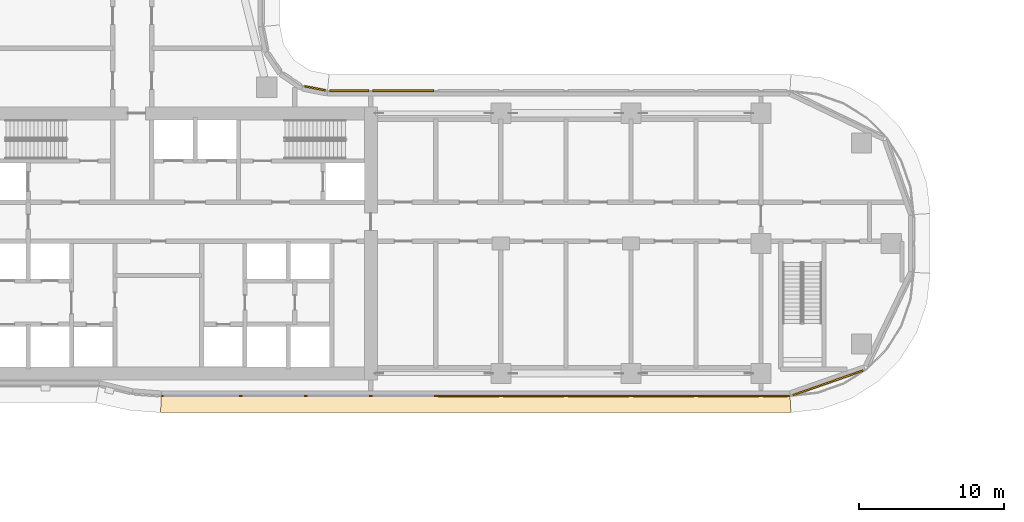
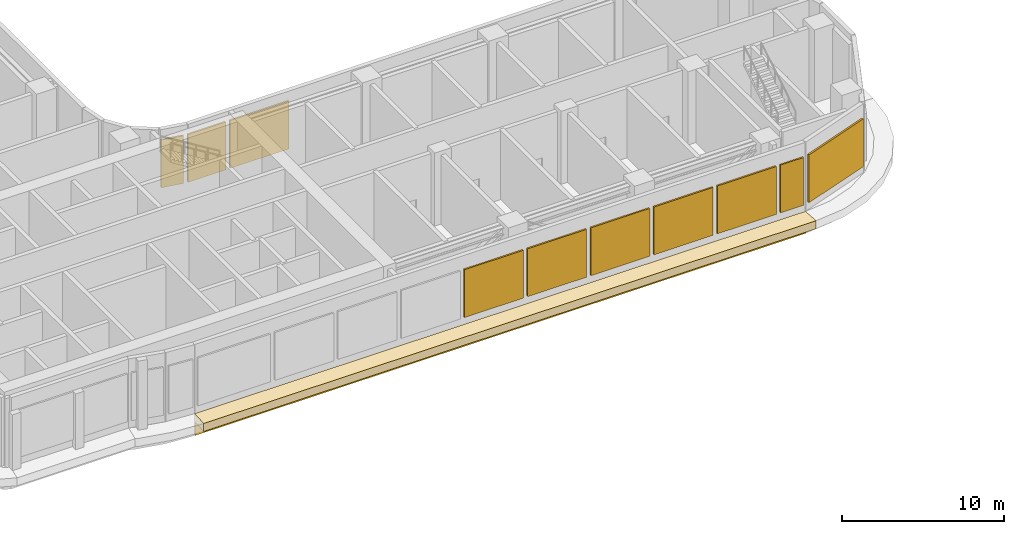
# One storey, part 17 of 23: 10 shading devices, 2 coverings.
"""IFC4 building model written with IfcOpenShell, lengths in metres."""

from ifc_helpers import new_model, si_unit, direction, frame, origin, origin_2d, place, context, subcontext, project, spatial, polyline, rectangle, outline, extrude, material, layer, layer_set, type_object, element, save


model = new_model("IFC4")

# Units and contexts
model_context = context("Model", 3, precision=1e-05, world=origin(), true_north=direction((0.0, 1.0)))
body_context = subcontext(model_context, "Body", "Model", "MODEL_VIEW")
ifc_project = project(units=[si_unit("LENGTHUNIT", "METRE"), si_unit("AREAUNIT", "SQUARE_METRE"), si_unit("VOLUMEUNIT", "CUBIC_METRE"), si_unit("PLANEANGLEUNIT", "RADIAN"), si_unit("MASSUNIT", "GRAM", prefix="KILO")], contexts=[model_context])

# Site, building, storey
site_placement = place(None, origin())
site = spatial("IfcSite", under=ifc_project, at=site_placement, CompositionType="ELEMENT")
building_placement = place(site_placement, origin())
building = spatial("IfcBuilding", under=site, at=building_placement, Name="Ogive Portal Towers", CompositionType="ELEMENT")
storey_placement = place(building_placement, frame((0.0, 0.0, 81.60009765625)))
storey = spatial("IfcBuildingStorey", under=building, at=storey_placement, Name="L19", CompositionType="ELEMENT", Elevation=81.60009765625)

# Shading devices
ifc_material_1 = material(Name="Aluminium 6063 anodised", Category="aluminium")
ifc_layer_1 = layer(ifc_material_1, 0.1201171875)
ifc_layer_set_1 = layer_set([ifc_layer_1], Name="LOUVRE BANK ALUMINIUM")
shading_device_type = type_object("IfcShadingDeviceType", Name="LOUVRE BANK ALUMINIUM", PredefinedType="USERDEFINED", material=ifc_layer_set_1)
for number, where, z_axis, x_axis, name in (
    (1, (65.25, 19.93994140625, 0.599853515625), (0.0, 0.0, 1.0), (1.0, 0.0, 0.0), "Louvre bank 5"),
    (2, (69.75, 19.93994140625, 0.599853515625), (0.0, 0.0, 1.0), (1.0, 0.0, 0.0), "Louvre bank 6"),
    (3, (74.25, 19.93994140625, 0.599853515625), (0.0, 0.0, 1.0), (1.0, 0.0, 0.0), "Louvre bank 7"),
    (4, (78.75, 19.93994140625, 0.599853515625), (0.0, 0.0, 1.0), (1.0, 0.0, 0.0), "Louvre bank 8"),
    (5, (83.25, 19.93994140625, 0.599853515625), (0.0, 0.0, 1.0), (1.0, 0.0, 0.0), "Louvre bank 9"),
):
    element("IfcShadingDevice", number, at=place(storey_placement, frame(where, z_axis=z_axis, x_axis=x_axis)), inside=storey, type_object=shading_device_type, Name=name, ObjectType="LOUVRE", PredefinedType="USERDEFINED", context=body_context, shape_type="SweptSolid", body=[
        extrude(rectangle(XDim=4.199951171875, YDim=0.1201171875, at=origin_2d()), origin(), (0.0, 0.0, 1.0), 3.60009765625),
    ])
shading_device_1_placement = place(storey_placement, frame((86.474609375, 19.93994140625, 0.599853515625), z_axis=(0.0, 0.0, 1.0), x_axis=(1.0, 0.0, 0.0)))
element("IfcShadingDevice", 6, at=shading_device_1_placement, inside=storey, type_object=shading_device_type, Name="Louvre bank 10", ObjectType="LOUVRE", PredefinedType="USERDEFINED", context=body_context, shape_type="SweptSolid", body=[
    extrude(rectangle(XDim=1.64892578125, YDim=0.1201171875, at=origin_2d()), origin(), (0.0, 0.0, 1.0), 3.60009765625),
])
shading_device_2_placement = place(storey_placement, frame((90.135009765625, 20.8583984375, 0.599853515625), z_axis=(0.0, 0.0, 1.0), x_axis=(0.943883330307, 0.33027906196, 0.0)))
element("IfcShadingDevice", 7, at=shading_device_2_placement, inside=storey, type_object=shading_device_type, Name="Louvre bank 1", ObjectType="LOUVRE", PredefinedType="USERDEFINED", context=body_context, shape_type="SweptSolid", body=[
    extrude(rectangle(XDim=5.139404296875, YDim=0.1201171875, at=origin_2d()), origin(), (0.0, 0.0, 1.0), 3.60009765625),
])
shading_device_3_placement = place(storey_placement, frame((60.75, 41.06005859375, 0.599853515625), z_axis=(0.0, 0.0, 1.0), x_axis=(-1.0, 0.0, 0.0)))
element("IfcShadingDevice", 8, at=shading_device_3_placement, inside=storey, type_object=shading_device_type, Name="Louvre bank 7", ObjectType="LOUVRE", PredefinedType="USERDEFINED", context=body_context, shape_type="SweptSolid", body=[
    extrude(rectangle(XDim=4.199951171875, YDim=0.1201171875, at=origin_2d()), origin(), (0.0, 0.0, 1.0), 3.60009765625),
])
shading_device_4_placement = place(storey_placement, frame((57.0, 41.06005859375, 0.599853515625), z_axis=(0.0, 0.0, 1.0), x_axis=(-1.0, 0.0, 0.0)))
element("IfcShadingDevice", 9, at=shading_device_4_placement, inside=storey, type_object=shading_device_type, Name="Louvre bank 8", ObjectType="LOUVRE", PredefinedType="USERDEFINED", context=body_context, shape_type="SweptSolid", body=[
    extrude(rectangle(XDim=2.699951171875, YDim=0.1201171875, at=origin_2d()), origin(), (0.0, 0.0, 1.0), 3.60009765625),
])
shading_device_5_placement = place(storey_placement, frame((54.650634765625, 41.230224609375, 0.599853515625), z_axis=(0.0, 0.0, 1.0), x_axis=(-0.980785280403, 0.195090322016, 0.0)))
element("IfcShadingDevice", 10, at=shading_device_5_placement, inside=storey, type_object=shading_device_type, Name="Louvre bank 1", ObjectType="LOUVRE", PredefinedType="USERDEFINED", context=body_context, shape_type="SweptSolid", body=[
    extrude(rectangle(XDim=1.455810546875, YDim=0.1201171875, at=origin_2d()), origin(), (0.0, 0.0, 1.0), 3.60009765625),
])

# Coverings
ifc_material_2 = material(Name="Limestone cladding on lightweight block wall", Category="masonry")
ifc_layer_2 = layer(ifc_material_2, 0.080078125)
ifc_layer_set_2 = layer_set([ifc_layer_2], Name="STONE SPANDREL 80")
covering_type_1 = type_object("IfcCoveringType", Name="STONE SPANDREL 80", PredefinedType="CLADDING", material=ifc_layer_set_2)
covering_1_placement = place(storey_placement, frame((0.0, 0.0, -1.60009765625)))
element("IfcCovering", 11, at=covering_1_placement, inside=storey, type_object=covering_type_1, Name="Stone spandrel A1-F05", PredefinedType="CLADDING", context=body_context, shape_type="SweptSolid", body=[
    extrude(outline(polyline([(44.0, 20.0), (87.5, 20.0), (87.50439453125, 19.919921875), (43.9970703125, 19.919921875), (44.0, 20.0)])), origin(), (0.0, 0.0, 1.0), 1.0),
])
ifc_layer_3 = layer(ifc_material_2, 0.60009765625)
ifc_layer_set_3 = layer_set([ifc_layer_3], Name="SUNSHADE LIP 600")
covering_type_2 = type_object("IfcCoveringType", Name="SUNSHADE LIP 600", PredefinedType="CLADDING", material=ifc_layer_set_3)
covering_2_placement = place(storey_placement, frame((0.0, 0.0, -0.60009765625)))
element("IfcCovering", 12, at=covering_2_placement, inside=storey, type_object=covering_type_2, Name="Sunshade lip A1-F05", PredefinedType="CLADDING", context=body_context, shape_type="SweptSolid", body=[
    extrude(outline(polyline([(44.0, 20.0), (87.5, 20.0), (87.5673828125, 18.800048828125), (43.95703125, 18.800048828125), (44.0, 20.0)])), origin(), (0.0, 0.0, 1.0), 0.60009765625),
])

save(model, "model.ifc")
